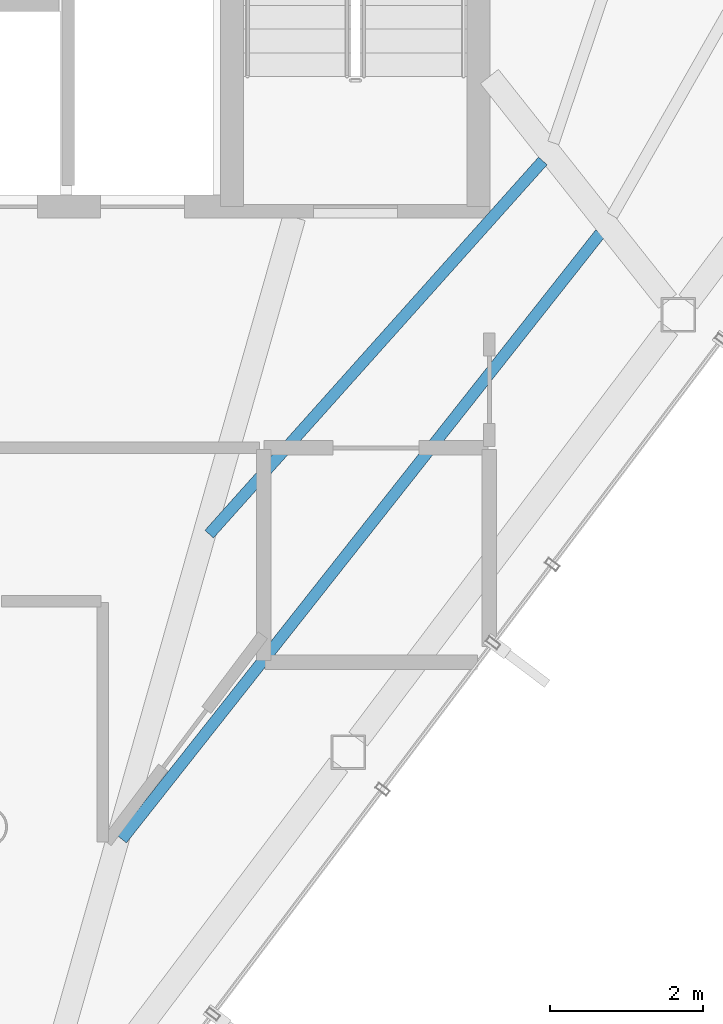
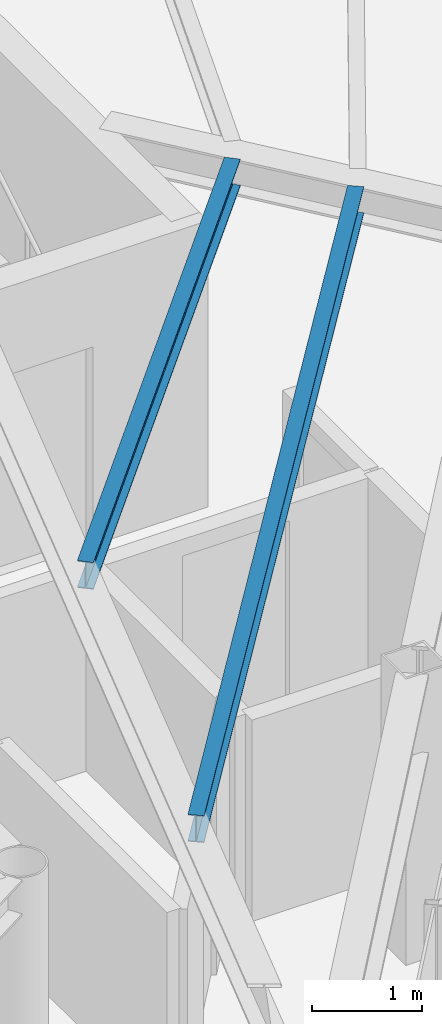
# One storey, part 9 of 23: 2 beams.
"""IFC4 building model written with IfcOpenShell, lengths in metres."""

from ifc_helpers import new_model, si_unit, direction, frame, origin, origin_2d, place, context, subcontext, project, spatial, i_section, extrude, material, material_profile, profile_set, type_object, element, save


model = new_model("IFC4")

# Units and contexts
model_context = context("Model", 3, precision=1e-05, world=origin(), true_north=direction((0.0, 1.0)))
body_context = subcontext(model_context, "Body", "Model", "MODEL_VIEW")
ifc_project = project(units=[si_unit("LENGTHUNIT", "METRE"), si_unit("AREAUNIT", "SQUARE_METRE"), si_unit("VOLUMEUNIT", "CUBIC_METRE"), si_unit("PLANEANGLEUNIT", "RADIAN"), si_unit("MASSUNIT", "GRAM", prefix="KILO")], contexts=[model_context])

# Site, building, storey
site_placement = place(None, origin())
site = spatial("IfcSite", under=ifc_project, at=site_placement, CompositionType="ELEMENT")
building_placement = place(site_placement, origin())
building = spatial("IfcBuilding", under=site, at=building_placement, Name="Zarrinselat Tower", CompositionType="ELEMENT")
storey_placement = place(building_placement, frame((0.0, 0.0, 278.800048828125)))
storey = spatial("IfcBuildingStorey", under=building, at=storey_placement, Name="L71", CompositionType="ELEMENT", Elevation=278.800048828125)

# Beams
ifc_material = material(Name="Steel S355J2", Category="steel")
ifc_material_profile = material_profile(ifc_material, i_section(OverallWidth=0.14990234375, OverallDepth=0.300048828125, WebThickness=0.007080078125, FlangeThickness=0.0107421875, at=origin_2d()), Name="IPE 300")
ifc_profile_set = profile_set([ifc_material_profile], Name="Steel S355J2")
beam_type = type_object("IfcBeamType", Name="BM-IPE300", PredefinedType="JOIST", material=ifc_profile_set)
beam_1_placement = place(storey_placement, frame((43.551025390625, 25.0380859375, 3.030029296875), z_axis=(0.619582267076, 0.7849317259, 0.0), x_axis=(-0.7849317259, 0.619582267076, 0.0)))
element("IfcBeam", 1, at=beam_1_placement, inside=storey, type_object=beam_type, Name="L71 Composite Floor Joist 3-1", PredefinedType="JOIST", context=body_context, shape_type="SweptSolid", body=[
    extrude(i_section(OverallWidth=0.14990234375, OverallDepth=0.300048828125, WebThickness=0.007080078125, FlangeThickness=0.0107421875, at=origin_2d()), origin(), (0.0, 0.0, 1.0), 10.0830078125),
])
beam_2_placement = place(storey_placement, frame((44.690185546875, 29.023681640625, 3.030029296875), z_axis=(0.666512090217, 0.745494221033, 0.0), x_axis=(-0.745494221033, 0.666512090217, 0.0)))
element("IfcBeam", 2, at=beam_2_placement, inside=storey, type_object=beam_type, Name="L71 Composite Floor Joist 3-2", PredefinedType="JOIST", context=body_context, shape_type="SweptSolid", body=[
    extrude(i_section(OverallWidth=0.14990234375, OverallDepth=0.300048828125, WebThickness=0.007080078125, FlangeThickness=0.0107421875, at=origin_2d()), origin(), (0.0, 0.0, 1.0), 6.53759765625),
])

save(model, "model.ifc")
